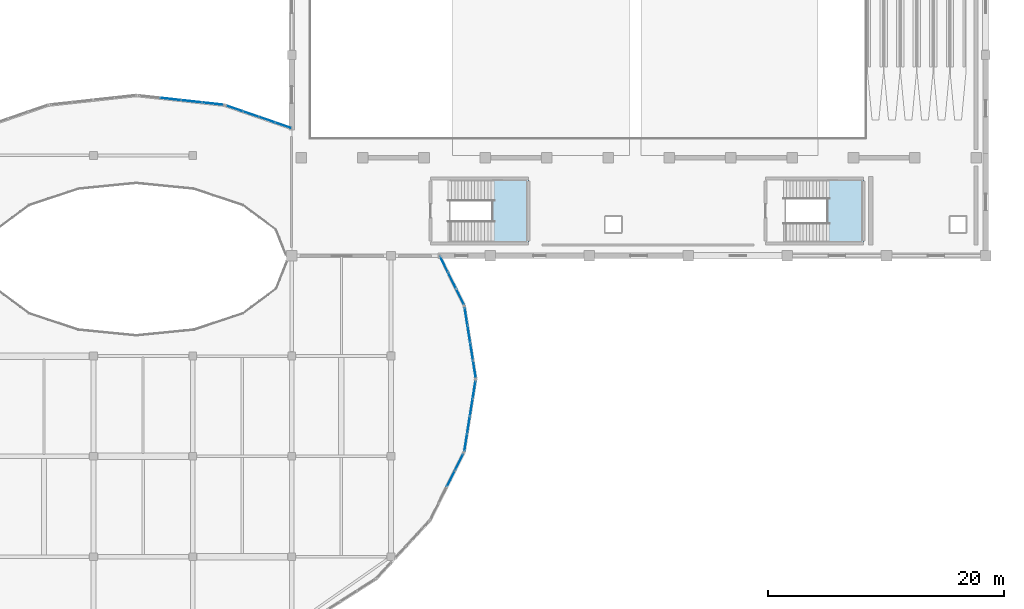
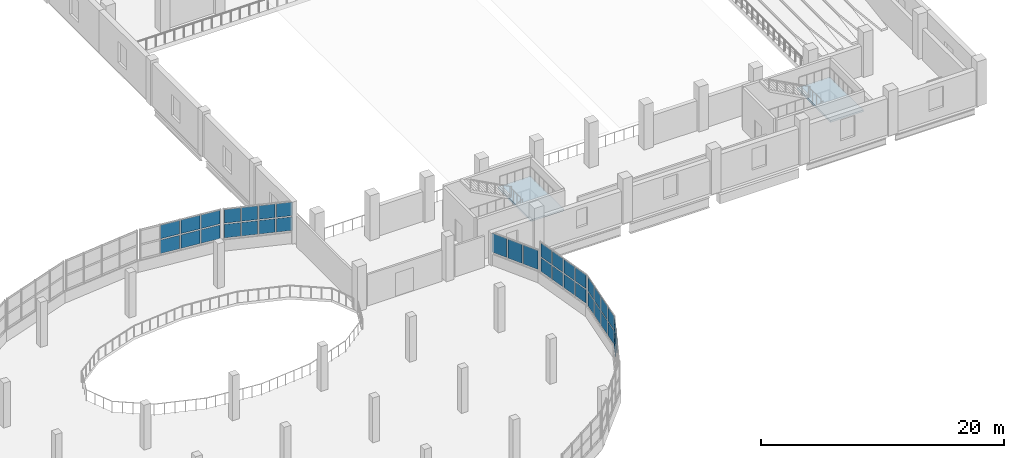
# One storey, part 34 of 50: 36 plates, 2 slabs, 8 elements without a shape of their own.
"""IFC4 building model written with IfcOpenShell, lengths in metres."""

from ifc_helpers import new_model, si_unit, direction, frame, origin, origin_2d, place, context, subcontext, project, spatial, polyline, rectangle, outline, extrude, material, layer, layer_set, type_object, element, aggregate, save


model = new_model("IFC4")

# Units and contexts
model_context = context("Model", 3, precision=1e-05, world=origin(), true_north=direction((0.0, 1.0)))
body_context = subcontext(model_context, "Body", "Model", "MODEL_VIEW")
ifc_project = project(units=[si_unit("LENGTHUNIT", "METRE"), si_unit("AREAUNIT", "SQUARE_METRE"), si_unit("VOLUMEUNIT", "CUBIC_METRE"), si_unit("PLANEANGLEUNIT", "RADIAN"), si_unit("MASSUNIT", "GRAM", prefix="KILO")], contexts=[model_context])

# Site, building, storey
site_placement = place(None, origin())
site = spatial("IfcSite", under=ifc_project, at=site_placement, CompositionType="ELEMENT")
building_placement = place(site_placement, origin())
building = spatial("IfcBuilding", under=site, at=building_placement, Name="Solvento Point Concert Hall", CompositionType="ELEMENT")
storey_placement = place(building_placement, frame((0.0, 0.0, 15.0)))
storey = spatial("IfcBuildingStorey", under=building, at=storey_placement, Name="L03", CompositionType="ELEMENT", Elevation=15.0)

# Curtain wall, plates
ifc_material_1 = material(Name="Anodized Bronze Aluminium", Category="aluminium")
curtain_wall_type = type_object("IfcCurtainWallType", Name="CurtainWall_RingRibbon_L03_04", PredefinedType="USERDEFINED", material=ifc_material_1)
curtain_wall_1_placement = place(storey_placement, origin())
curtain_wall_1 = element("IfcCurtainWall", 1, at=curtain_wall_1_placement, inside=storey, type_object=curtain_wall_type, Name="Unitised curtain wall CW-31 UCW-L03-197", ObjectType="UNITISED CURTAIN WALL", PredefinedType="USERDEFINED")
ifc_material_2 = material(Name="Hurricane Laminated Low-E Glass", Category="glass")
plate_type = type_object("IfcPlateType", Name="CurtainPanel_RingUpper", PredefinedType="CURTAIN_PANEL", material=ifc_material_2)
plate_1_placement = place(storey_placement, frame((64.12060546875, 55.779541015625, 1.240234375), z_axis=(0.0, 0.0, 1.0), x_axis=(0.994035418963, -0.109057717961, 0.0)))
plate_1 = element("IfcPlate", 2, at=plate_1_placement, type_object=plate_type, Name="Glazed curtain panel GL-03", PredefinedType="CURTAIN_PANEL", context=body_context, shape_type="SweptSolid", body=[
    extrude(rectangle(XDim=1.692138671875, YDim=0.035888671875, at=origin_2d()), origin(), (0.0, 0.0, 1.0), 1.364990234375),
])
plate_2_placement = place(storey_placement, frame((64.12060546875, 55.779541015625, 2.72509765625), z_axis=(0.0, 0.0, 1.0), x_axis=(0.994035418963, -0.109057717961, 0.0)))
plate_2 = element("IfcPlate", 3, at=plate_2_placement, type_object=plate_type, Name="Glazed curtain panel GL-03", PredefinedType="CURTAIN_PANEL", context=body_context, shape_type="SweptSolid", body=[
    extrude(rectangle(XDim=1.692138671875, YDim=0.035888671875, at=origin_2d()), origin(), (0.0, 0.0, 1.0), 1.364990234375),
])
plate_3_placement = place(storey_placement, frame((65.922119140625, 55.581787109375, 1.240234375), z_axis=(0.0, 0.0, 1.0), x_axis=(0.994035418963, -0.109057717961, 0.0)))
plate_3 = element("IfcPlate", 4, at=plate_3_placement, type_object=plate_type, Name="Glazed curtain panel GL-03", PredefinedType="CURTAIN_PANEL", context=body_context, shape_type="SweptSolid", body=[
    extrude(rectangle(XDim=1.692138671875, YDim=0.035888671875, at=origin_2d()), origin(), (0.0, 0.0, 1.0), 1.364990234375),
])
plate_4_placement = place(storey_placement, frame((65.922119140625, 55.581787109375, 2.72509765625), z_axis=(0.0, 0.0, 1.0), x_axis=(0.994035418963, -0.109057717961, 0.0)))
plate_4 = element("IfcPlate", 5, at=plate_4_placement, type_object=plate_type, Name="Glazed curtain panel GL-03", PredefinedType="CURTAIN_PANEL", context=body_context, shape_type="SweptSolid", body=[
    extrude(rectangle(XDim=1.692138671875, YDim=0.035888671875, at=origin_2d()), origin(), (0.0, 0.0, 1.0), 1.364990234375),
])
plate_5_placement = place(storey_placement, frame((67.723388671875, 55.38427734375, 1.240234375), z_axis=(0.0, 0.0, 1.0), x_axis=(0.994035418963, -0.109057717961, 0.0)))
plate_5 = element("IfcPlate", 6, at=plate_5_placement, type_object=plate_type, Name="Glazed curtain panel GL-03", PredefinedType="CURTAIN_PANEL", context=body_context, shape_type="SweptSolid", body=[
    extrude(rectangle(XDim=1.692138671875, YDim=0.035888671875, at=origin_2d()), origin(), (0.0, 0.0, 1.0), 1.364990234375),
])
plate_6_placement = place(storey_placement, frame((67.723388671875, 55.38427734375, 2.72509765625), z_axis=(0.0, 0.0, 1.0), x_axis=(0.994035418963, -0.109057717961, 0.0)))
plate_6 = element("IfcPlate", 7, at=plate_6_placement, type_object=plate_type, Name="Glazed curtain panel GL-03", PredefinedType="CURTAIN_PANEL", context=body_context, shape_type="SweptSolid", body=[
    extrude(rectangle(XDim=1.692138671875, YDim=0.035888671875, at=origin_2d()), origin(), (0.0, 0.0, 1.0), 1.364990234375),
])
aggregate(curtain_wall_1, [plate_1, plate_2, plate_3, plate_4, plate_5, plate_6])

curtain_wall_2_placement = place(storey_placement, origin())
curtain_wall_2 = element("IfcCurtainWall", 8, at=curtain_wall_2_placement, inside=storey, type_object=curtain_wall_type, Name="Unitised curtain wall CW-31 UCW-L03-198", ObjectType="UNITISED CURTAIN WALL", PredefinedType="USERDEFINED")
plate_7_placement = place(storey_placement, frame((69.55078125, 54.97265625, 1.240234375), z_axis=(0.0, 0.0, 1.0), x_axis=(0.945270556365, -0.326287565301, 0.0)))
plate_7 = element("IfcPlate", 9, at=plate_7_placement, type_object=plate_type, Name="Glazed curtain panel GL-03", PredefinedType="CURTAIN_PANEL", context=body_context, shape_type="SweptSolid", body=[
    extrude(rectangle(XDim=1.337158203125, YDim=0.035888671875, at=origin_2d()), origin(), (0.0, 0.0, 1.0), 1.364990234375),
])
plate_8_placement = place(storey_placement, frame((69.55078125, 54.97265625, 2.72509765625), z_axis=(0.0, 0.0, 1.0), x_axis=(0.945270556365, -0.326287565301, 0.0)))
plate_8 = element("IfcPlate", 10, at=plate_8_placement, type_object=plate_type, Name="Glazed curtain panel GL-03", PredefinedType="CURTAIN_PANEL", context=body_context, shape_type="SweptSolid", body=[
    extrude(rectangle(XDim=1.337158203125, YDim=0.035888671875, at=origin_2d()), origin(), (0.0, 0.0, 1.0), 1.364990234375),
])
plate_9_placement = place(storey_placement, frame((70.927978515625, 54.497314453125, 1.240234375), z_axis=(0.0, 0.0, 1.0), x_axis=(0.945270556365, -0.326287565301, 0.0)))
plate_9 = element("IfcPlate", 11, at=plate_9_placement, type_object=plate_type, Name="Glazed curtain panel GL-03", PredefinedType="CURTAIN_PANEL", context=body_context, shape_type="SweptSolid", body=[
    extrude(rectangle(XDim=1.337158203125, YDim=0.035888671875, at=origin_2d()), origin(), (0.0, 0.0, 1.0), 1.364990234375),
])
plate_10_placement = place(storey_placement, frame((70.927978515625, 54.497314453125, 2.72509765625), z_axis=(0.0, 0.0, 1.0), x_axis=(0.945270556365, -0.326287565301, 0.0)))
plate_10 = element("IfcPlate", 12, at=plate_10_placement, type_object=plate_type, Name="Glazed curtain panel GL-03", PredefinedType="CURTAIN_PANEL", context=body_context, shape_type="SweptSolid", body=[
    extrude(rectangle(XDim=1.337158203125, YDim=0.035888671875, at=origin_2d()), origin(), (0.0, 0.0, 1.0), 1.364990234375),
])
plate_11_placement = place(storey_placement, frame((72.305419921875, 54.021728515625, 1.240234375), z_axis=(0.0, 0.0, 1.0), x_axis=(0.945270556365, -0.326287565301, 0.0)))
plate_11 = element("IfcPlate", 13, at=plate_11_placement, type_object=plate_type, Name="Glazed curtain panel GL-03", PredefinedType="CURTAIN_PANEL", context=body_context, shape_type="SweptSolid", body=[
    extrude(rectangle(XDim=1.337158203125, YDim=0.035888671875, at=origin_2d()), origin(), (0.0, 0.0, 1.0), 1.364990234375),
])
plate_12_placement = place(storey_placement, frame((72.305419921875, 54.021728515625, 2.72509765625), z_axis=(0.0, 0.0, 1.0), x_axis=(0.945270556365, -0.326287565301, 0.0)))
plate_12 = element("IfcPlate", 14, at=plate_12_placement, type_object=plate_type, Name="Glazed curtain panel GL-03", PredefinedType="CURTAIN_PANEL", context=body_context, shape_type="SweptSolid", body=[
    extrude(rectangle(XDim=1.337158203125, YDim=0.035888671875, at=origin_2d()), origin(), (0.0, 0.0, 1.0), 1.364990234375),
])
plate_13_placement = place(storey_placement, frame((73.682861328125, 53.54638671875, 1.240234375), z_axis=(0.0, 0.0, 1.0), x_axis=(0.945270556365, -0.326287565301, 0.0)))
plate_13 = element("IfcPlate", 15, at=plate_13_placement, type_object=plate_type, Name="Glazed curtain panel GL-03", PredefinedType="CURTAIN_PANEL", context=body_context, shape_type="SweptSolid", body=[
    extrude(rectangle(XDim=1.337158203125, YDim=0.035888671875, at=origin_2d()), origin(), (0.0, 0.0, 1.0), 1.364990234375),
])
plate_14_placement = place(storey_placement, frame((73.682861328125, 53.54638671875, 2.72509765625), z_axis=(0.0, 0.0, 1.0), x_axis=(0.945270556365, -0.326287565301, 0.0)))
plate_14 = element("IfcPlate", 16, at=plate_14_placement, type_object=plate_type, Name="Glazed curtain panel GL-03", PredefinedType="CURTAIN_PANEL", context=body_context, shape_type="SweptSolid", body=[
    extrude(rectangle(XDim=1.337158203125, YDim=0.035888671875, at=origin_2d()), origin(), (0.0, 0.0, 1.0), 1.364990234375),
])
aggregate(curtain_wall_2, [plate_7, plate_8, plate_9, plate_10, plate_11, plate_12, plate_13, plate_14])

curtain_wall_3_placement = place(storey_placement, origin())
curtain_wall_3 = element("IfcCurtainWall", 17, at=curtain_wall_3_placement, inside=storey, type_object=curtain_wall_type, Name="Unitised curtain wall CW-31 UCW-L03-199", ObjectType="UNITISED CURTAIN WALL", PredefinedType="USERDEFINED")
plate_15_placement = place(storey_placement, frame((87.292724609375, 41.783935546875, 1.240234375), z_axis=(0.0, 0.0, 1.0), x_axis=(0.445116614995, -0.895472612119, 0.0)))
plate_15 = element("IfcPlate", 18, at=plate_15_placement, type_object=plate_type, Name="Glazed curtain panel GL-03", PredefinedType="CURTAIN_PANEL", context=body_context, shape_type="SweptSolid", body=[
    extrude(rectangle(XDim=1.419189453125, YDim=0.035888671875, at=origin_2d()), origin(), (0.0, 0.0, 1.0), 1.906982421875),
])
plate_16_placement = place(storey_placement, frame((87.977783203125, 40.406005859375, 1.240234375), z_axis=(0.0, 0.0, 1.0), x_axis=(0.445116614995, -0.895472612119, 0.0)))
plate_16 = element("IfcPlate", 19, at=plate_16_placement, type_object=plate_type, Name="Glazed curtain panel GL-03", PredefinedType="CURTAIN_PANEL", context=body_context, shape_type="SweptSolid", body=[
    extrude(rectangle(XDim=1.419189453125, YDim=0.035888671875, at=origin_2d()), origin(), (0.0, 0.0, 1.0), 1.906982421875),
])
plate_17_placement = place(storey_placement, frame((88.662841796875, 39.027587890625, 1.240234375), z_axis=(0.0, 0.0, 1.0), x_axis=(0.445116614995, -0.895472612119, 0.0)))
plate_17 = element("IfcPlate", 20, at=plate_17_placement, type_object=plate_type, Name="Glazed curtain panel GL-03", PredefinedType="CURTAIN_PANEL", context=body_context, shape_type="SweptSolid", body=[
    extrude(rectangle(XDim=1.419189453125, YDim=0.035888671875, at=origin_2d()), origin(), (0.0, 0.0, 1.0), 1.906982421875),
])
aggregate(curtain_wall_3, [plate_15, plate_16, plate_17])

curtain_wall_4_placement = place(storey_placement, origin())
curtain_wall_4 = element("IfcCurtainWall", 21, at=curtain_wall_4_placement, inside=storey, type_object=curtain_wall_type, Name="Unitised curtain wall CW-31 UCW-L03-200", ObjectType="UNITISED CURTAIN WALL", PredefinedType="USERDEFINED")
plate_18_placement = place(storey_placement, frame((89.1708984375, 37.348876953125, 1.240234375), z_axis=(0.0, 0.0, 1.0), x_axis=(0.156041416836, -0.987750513152, 0.0)))
plate_18 = element("IfcPlate", 22, at=plate_18_placement, type_object=plate_type, Name="Glazed curtain panel GL-03", PredefinedType="CURTAIN_PANEL", context=body_context, shape_type="SweptSolid", body=[
    extrude(rectangle(XDim=1.3896484375, YDim=0.035888671875, at=origin_2d()), origin(), (0.0, 0.0, 1.0), 1.364990234375),
])
plate_19_placement = place(storey_placement, frame((89.1708984375, 37.348876953125, 2.72509765625), z_axis=(0.0, 0.0, 1.0), x_axis=(0.156041416836, -0.987750513152, 0.0)))
plate_19 = element("IfcPlate", 23, at=plate_19_placement, type_object=plate_type, Name="Glazed curtain panel GL-03", PredefinedType="CURTAIN_PANEL", context=body_context, shape_type="SweptSolid", body=[
    extrude(rectangle(XDim=1.3896484375, YDim=0.035888671875, at=origin_2d()), origin(), (0.0, 0.0, 1.0), 1.364990234375),
])
plate_20_placement = place(storey_placement, frame((89.406494140625, 35.857666015625, 1.240234375), z_axis=(0.0, 0.0, 1.0), x_axis=(0.156041416836, -0.987750513152, 0.0)))
plate_20 = element("IfcPlate", 24, at=plate_20_placement, type_object=plate_type, Name="Glazed curtain panel GL-03", PredefinedType="CURTAIN_PANEL", context=body_context, shape_type="SweptSolid", body=[
    extrude(rectangle(XDim=1.3896484375, YDim=0.035888671875, at=origin_2d()), origin(), (0.0, 0.0, 1.0), 1.364990234375),
])
plate_21_placement = place(storey_placement, frame((89.406494140625, 35.857666015625, 2.72509765625), z_axis=(0.0, 0.0, 1.0), x_axis=(0.156041416836, -0.987750513152, 0.0)))
plate_21 = element("IfcPlate", 25, at=plate_21_placement, type_object=plate_type, Name="Glazed curtain panel GL-03", PredefinedType="CURTAIN_PANEL", context=body_context, shape_type="SweptSolid", body=[
    extrude(rectangle(XDim=1.3896484375, YDim=0.035888671875, at=origin_2d()), origin(), (0.0, 0.0, 1.0), 1.364990234375),
])
plate_22_placement = place(storey_placement, frame((89.64208984375, 34.366455078125, 1.240234375), z_axis=(0.0, 0.0, 1.0), x_axis=(0.156041416836, -0.987750513152, 0.0)))
plate_22 = element("IfcPlate", 26, at=plate_22_placement, type_object=plate_type, Name="Glazed curtain panel GL-03", PredefinedType="CURTAIN_PANEL", context=body_context, shape_type="SweptSolid", body=[
    extrude(rectangle(XDim=1.3896484375, YDim=0.035888671875, at=origin_2d()), origin(), (0.0, 0.0, 1.0), 1.364990234375),
])
plate_23_placement = place(storey_placement, frame((89.64208984375, 34.366455078125, 2.72509765625), z_axis=(0.0, 0.0, 1.0), x_axis=(0.156041416836, -0.987750513152, 0.0)))
plate_23 = element("IfcPlate", 27, at=plate_23_placement, type_object=plate_type, Name="Glazed curtain panel GL-03", PredefinedType="CURTAIN_PANEL", context=body_context, shape_type="SweptSolid", body=[
    extrude(rectangle(XDim=1.3896484375, YDim=0.035888671875, at=origin_2d()), origin(), (0.0, 0.0, 1.0), 1.364990234375),
])
plate_24_placement = place(storey_placement, frame((89.87744140625, 32.875244140625, 1.240234375), z_axis=(0.0, 0.0, 1.0), x_axis=(0.156041416836, -0.987750513152, 0.0)))
plate_24 = element("IfcPlate", 28, at=plate_24_placement, type_object=plate_type, Name="Glazed curtain panel GL-03", PredefinedType="CURTAIN_PANEL", context=body_context, shape_type="SweptSolid", body=[
    extrude(rectangle(XDim=1.3896484375, YDim=0.035888671875, at=origin_2d()), origin(), (0.0, 0.0, 1.0), 1.364990234375),
])
plate_25_placement = place(storey_placement, frame((89.87744140625, 32.875244140625, 2.72509765625), z_axis=(0.0, 0.0, 1.0), x_axis=(0.156041416836, -0.987750513152, 0.0)))
plate_25 = element("IfcPlate", 29, at=plate_25_placement, type_object=plate_type, Name="Glazed curtain panel GL-03", PredefinedType="CURTAIN_PANEL", context=body_context, shape_type="SweptSolid", body=[
    extrude(rectangle(XDim=1.3896484375, YDim=0.035888671875, at=origin_2d()), origin(), (0.0, 0.0, 1.0), 1.364990234375),
])
aggregate(curtain_wall_4, [plate_18, plate_19, plate_20, plate_21, plate_22, plate_23, plate_24, plate_25])

curtain_wall_5_placement = place(storey_placement, origin())
curtain_wall_5 = element("IfcCurtainWall", 30, at=curtain_wall_5_placement, inside=storey, type_object=curtain_wall_type, Name="Unitised curtain wall CW-31 UCW-L03-201", ObjectType="UNITISED CURTAIN WALL", PredefinedType="USERDEFINED")
plate_26_placement = place(storey_placement, frame((89.847900390625, 31.13720703125, 1.240234375), z_axis=(0.0, 0.0, 1.0), x_axis=(-0.156041416836, -0.987750513152, 0.0)))
plate_26 = element("IfcPlate", 31, at=plate_26_placement, type_object=plate_type, Name="Glazed curtain panel GL-03", PredefinedType="CURTAIN_PANEL", context=body_context, shape_type="SweptSolid", body=[
    extrude(rectangle(XDim=1.3896484375, YDim=0.035888671875, at=origin_2d()), origin(), (0.0, 0.0, 1.0), 1.364990234375),
])
plate_27_placement = place(storey_placement, frame((89.847900390625, 31.13720703125, 2.72509765625), z_axis=(0.0, 0.0, 1.0), x_axis=(-0.156041416836, -0.987750513152, 0.0)))
plate_27 = element("IfcPlate", 32, at=plate_27_placement, type_object=plate_type, Name="Glazed curtain panel GL-03", PredefinedType="CURTAIN_PANEL", context=body_context, shape_type="SweptSolid", body=[
    extrude(rectangle(XDim=1.3896484375, YDim=0.035888671875, at=origin_2d()), origin(), (0.0, 0.0, 1.0), 1.364990234375),
])
plate_28_placement = place(storey_placement, frame((89.6123046875, 29.64599609375, 1.240234375), z_axis=(0.0, 0.0, 1.0), x_axis=(-0.156041416836, -0.987750513152, 0.0)))
plate_28 = element("IfcPlate", 33, at=plate_28_placement, type_object=plate_type, Name="Glazed curtain panel GL-03", PredefinedType="CURTAIN_PANEL", context=body_context, shape_type="SweptSolid", body=[
    extrude(rectangle(XDim=1.3896484375, YDim=0.035888671875, at=origin_2d()), origin(), (0.0, 0.0, 1.0), 1.364990234375),
])
plate_29_placement = place(storey_placement, frame((89.6123046875, 29.64599609375, 2.72509765625), z_axis=(0.0, 0.0, 1.0), x_axis=(-0.156041416836, -0.987750513152, 0.0)))
plate_29 = element("IfcPlate", 34, at=plate_29_placement, type_object=plate_type, Name="Glazed curtain panel GL-03", PredefinedType="CURTAIN_PANEL", context=body_context, shape_type="SweptSolid", body=[
    extrude(rectangle(XDim=1.3896484375, YDim=0.035888671875, at=origin_2d()), origin(), (0.0, 0.0, 1.0), 1.364990234375),
])
plate_30_placement = place(storey_placement, frame((89.376708984375, 28.15478515625, 1.240234375), z_axis=(0.0, 0.0, 1.0), x_axis=(-0.156041416836, -0.987750513152, 0.0)))
plate_30 = element("IfcPlate", 35, at=plate_30_placement, type_object=plate_type, Name="Glazed curtain panel GL-03", PredefinedType="CURTAIN_PANEL", context=body_context, shape_type="SweptSolid", body=[
    extrude(rectangle(XDim=1.3896484375, YDim=0.035888671875, at=origin_2d()), origin(), (0.0, 0.0, 1.0), 1.364990234375),
])
plate_31_placement = place(storey_placement, frame((89.376708984375, 28.15478515625, 2.72509765625), z_axis=(0.0, 0.0, 1.0), x_axis=(-0.156041416836, -0.987750513152, 0.0)))
plate_31 = element("IfcPlate", 36, at=plate_31_placement, type_object=plate_type, Name="Glazed curtain panel GL-03", PredefinedType="CURTAIN_PANEL", context=body_context, shape_type="SweptSolid", body=[
    extrude(rectangle(XDim=1.3896484375, YDim=0.035888671875, at=origin_2d()), origin(), (0.0, 0.0, 1.0), 1.364990234375),
])
plate_32_placement = place(storey_placement, frame((89.14111328125, 26.66357421875, 1.240234375), z_axis=(0.0, 0.0, 1.0), x_axis=(-0.156041416836, -0.987750513152, 0.0)))
plate_32 = element("IfcPlate", 37, at=plate_32_placement, type_object=plate_type, Name="Glazed curtain panel GL-03", PredefinedType="CURTAIN_PANEL", context=body_context, shape_type="SweptSolid", body=[
    extrude(rectangle(XDim=1.3896484375, YDim=0.035888671875, at=origin_2d()), origin(), (0.0, 0.0, 1.0), 1.364990234375),
])
plate_33_placement = place(storey_placement, frame((89.14111328125, 26.66357421875, 2.72509765625), z_axis=(0.0, 0.0, 1.0), x_axis=(-0.156041416836, -0.987750513152, 0.0)))
plate_33 = element("IfcPlate", 38, at=plate_33_placement, type_object=plate_type, Name="Glazed curtain panel GL-03", PredefinedType="CURTAIN_PANEL", context=body_context, shape_type="SweptSolid", body=[
    extrude(rectangle(XDim=1.3896484375, YDim=0.035888671875, at=origin_2d()), origin(), (0.0, 0.0, 1.0), 1.364990234375),
])
aggregate(curtain_wall_5, [plate_26, plate_27, plate_28, plate_29, plate_30, plate_31, plate_32, plate_33])

curtain_wall_6_placement = place(storey_placement, origin())
curtain_wall_6 = element("IfcCurtainWall", 39, at=curtain_wall_6_placement, inside=storey, type_object=curtain_wall_type, Name="Unitised curtain wall CW-31 UCW-L03-202", ObjectType="UNITISED CURTAIN WALL", PredefinedType="USERDEFINED")
plate_34_placement = place(storey_placement, frame((88.574951171875, 24.99560546875, 1.240234375), z_axis=(0.0, 0.0, 1.0), x_axis=(-0.445115052099, -0.895473388993, 0.0)))
plate_34 = element("IfcPlate", 40, at=plate_34_placement, type_object=plate_type, Name="Glazed curtain panel GL-03", PredefinedType="CURTAIN_PANEL", context=body_context, shape_type="SweptSolid", body=[
    extrude(rectangle(XDim=1.43359375, YDim=0.035888671875, at=origin_2d()), origin(), (0.0, 0.0, 1.0), 1.364990234375),
])
plate_35_placement = place(storey_placement, frame((88.574951171875, 24.99560546875, 2.72509765625), z_axis=(0.0, 0.0, 1.0), x_axis=(-0.445115052099, -0.895473388993, 0.0)))
plate_35 = element("IfcPlate", 41, at=plate_35_placement, type_object=plate_type, Name="Glazed curtain panel GL-03", PredefinedType="CURTAIN_PANEL", context=body_context, shape_type="SweptSolid", body=[
    extrude(rectangle(XDim=1.43359375, YDim=0.035888671875, at=origin_2d()), origin(), (0.0, 0.0, 1.0), 1.364990234375),
])
plate_36_placement = place(storey_placement, frame((87.883544921875, 23.6044921875, 2.72509765625), z_axis=(0.0, 0.0, 1.0), x_axis=(-0.445115052099, -0.895473388993, 0.0)))
plate_36 = element("IfcPlate", 42, at=plate_36_placement, type_object=plate_type, Name="Glazed curtain panel GL-03", PredefinedType="CURTAIN_PANEL", context=body_context, shape_type="SweptSolid", body=[
    extrude(rectangle(XDim=1.43359375, YDim=0.035888671875, at=origin_2d()), origin(), (0.0, 0.0, 1.0), 1.364990234375),
])
aggregate(curtain_wall_6, [plate_34, plate_35, plate_36])

# Stair, slab
ifc_material_3 = material(Name="Concrete C35/45", Category="concrete")
stair_type_1 = type_object("IfcStairType", Name="CoreStair_1760", PredefinedType="HALF_TURN_STAIR", material=ifc_material_3)
stair_1_placement = place(storey_placement, origin())
stair_1 = element("IfcStair", 43, at=stair_1_placement, inside=storey, type_object=stair_type_1, Name="Protected exit stair ST-06 (L03 to L04)", PredefinedType="HALF_TURN_STAIR")
ifc_material_4 = material(Name="Concrete C35/45", Category="concrete")
ifc_layer = layer(ifc_material_4, 0.179931640625)
ifc_layer_set = layer_set([ifc_layer], Name="Concrete C35/45")
slab_type = type_object("IfcSlabType", Name="StairLanding_180", PredefinedType="LANDING", material=ifc_layer_set)
slab_1_placement = place(storey_placement, frame((0.0, 0.0, 2.070068359375)))
slab_1 = element("IfcSlab", 44, at=slab_1_placement, type_object=slab_type, Name="Stair half-landing ST-06 L03", PredefinedType="LANDING", context=body_context, shape_type="SweptSolid", body=[
    extrude(outline(polyline([(91.320068359375, 43.56005859375), (94.43994140625, 43.56005859375), (94.43994140625, 49.0400390625), (91.320068359375, 49.0400390625), (91.320068359375, 43.56005859375)])), origin(), (0.0, 0.0, 1.0), 0.179931640625),
])
aggregate(stair_1, [slab_1])

ifc_material_5 = material(Name="Concrete C35/45", Category="concrete")
stair_type_2 = type_object("IfcStairType", Name="CoreStair_1600", PredefinedType="HALF_TURN_STAIR", material=ifc_material_5)
stair_2_placement = place(storey_placement, origin())
stair_2 = element("IfcStair", 45, at=stair_2_placement, inside=storey, type_object=stair_type_2, Name="Protected exit stair ST-07 (L03 to L04)", PredefinedType="HALF_TURN_STAIR")
slab_2_placement = place(storey_placement, frame((0.0, 0.0, 2.070068359375)))
slab_2 = element("IfcSlab", 46, at=slab_2_placement, type_object=slab_type, Name="Stair half-landing ST-07 L03", PredefinedType="LANDING", context=body_context, shape_type="SweptSolid", body=[
    extrude(outline(polyline([(119.719970703125, 43.56005859375), (122.840087890625, 43.56005859375), (122.840087890625, 49.0400390625), (119.719970703125, 49.0400390625), (119.719970703125, 43.56005859375)])), origin(), (0.0, 0.0, 1.0), 0.179931640625),
])
aggregate(stair_2, [slab_2])

save(model, "model.ifc")
